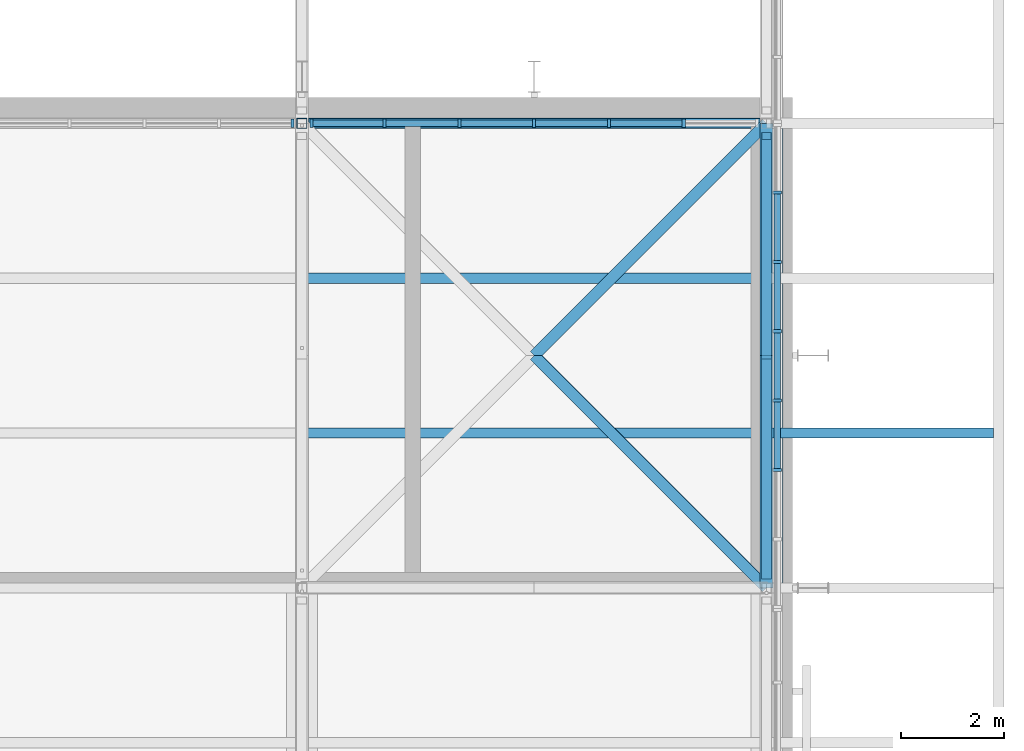
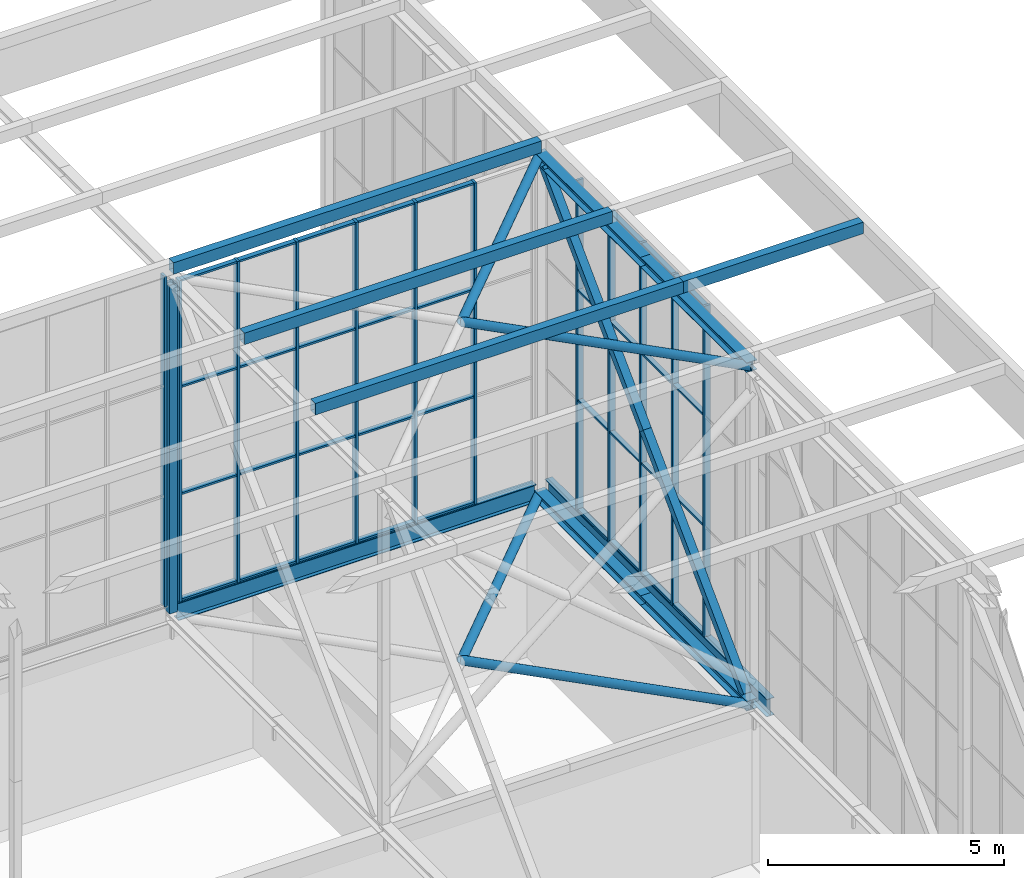
# One storey, part 133 of 646: 63 members, 2 beams, 3 elements without a shape of their own.
"""IFC4 building model written with IfcOpenShell, lengths in metres."""

from ifc_helpers import new_model, si_unit, direction, frame, origin, origin_2d, place, context, subcontext, project, spatial, rectangle, hollow_rectangle, hollow_circle, i_section, extrude, material, material_profile, profile_set, type_object, element, aggregate, save


model = new_model("IFC4")

# Units and contexts
model_context = context("Model", 3, precision=1e-05, world=origin(), true_north=direction((0.0, 1.0)))
body_context = subcontext(model_context, "Body", "Model", "MODEL_VIEW")
ifc_project = project(units=[si_unit("LENGTHUNIT", "METRE"), si_unit("AREAUNIT", "SQUARE_METRE"), si_unit("VOLUMEUNIT", "CUBIC_METRE"), si_unit("PLANEANGLEUNIT", "RADIAN"), si_unit("MASSUNIT", "GRAM", prefix="KILO")], contexts=[model_context])

# Site, building, storey
site_placement = place(None, origin())
site = spatial("IfcSite", under=ifc_project, at=site_placement, CompositionType="ELEMENT")
building_placement = place(site_placement, origin())
building = spatial("IfcBuilding", under=site, at=building_placement, Name="Silverbay Arena", CompositionType="ELEMENT")
storey_placement = place(building_placement, frame((0.0, 0.0, 33.5)))
storey = spatial("IfcBuildingStorey", under=building, at=storey_placement, Name="L05", CompositionType="ELEMENT", Elevation=33.5)

# Curtain wall, member
ifc_material_1 = material(Name="Aluminium framed glazing", Category="aluminium")
curtain_wall_type_1 = type_object("IfcCurtainWallType", Name="Curtain wall clerestory 8693 x 8540", PredefinedType="NOTDEFINED", material=ifc_material_1)
curtain_wall_1_placement = place(storey_placement, origin())
curtain_wall_1 = element("IfcCurtainWall", 1, at=curtain_wall_1_placement, inside=storey, type_object=curtain_wall_type_1, Name="ROOF CLERESTORY CURTAIN WALL north bay 16", PredefinedType="NOTDEFINED")
ifc_material_2 = material(Name="Aluminium", Category="aluminium")
ifc_material_profile_1 = material_profile(ifc_material_2, rectangle(XDim=0.159912109375, YDim=0.06005859375, at=origin_2d()), Name="Mullion 60 x 160")
ifc_profile_set_1 = profile_set([ifc_material_profile_1], Name="Aluminium")
member_type_1 = type_object("IfcMemberType", Name="Mullion 60 x 160", PredefinedType="MULLION", material=ifc_profile_set_1)
member_1_placement = place(storey_placement, frame((197.81640625, 144.0, 4.4599609375), z_axis=(0.0, 0.0, 1.0), x_axis=(0.0, 1.0, 0.0)))
member_1 = element("IfcMember", 2, at=member_1_placement, type_object=member_type_1, Name="CW55 mullion 7", PredefinedType="MULLION", context=body_context, shape_type="SweptSolid", body=[
    extrude(rectangle(XDim=0.159912109375, YDim=0.06005859375, at=origin_2d()), origin(), (0.0, 0.0, 1.0), 8.5400390625),
])
aggregate(curtain_wall_1, [member_1])

# Curtain wall, members
ifc_material_3 = material(Name="Aluminium framed glazing", Category="aluminium")
curtain_wall_type_2 = type_object("IfcCurtainWallType", Name="Curtain wall clerestory 8693 x 8303", PredefinedType="NOTDEFINED", material=ifc_material_3)
curtain_wall_2_placement = place(storey_placement, origin())
curtain_wall_2 = element("IfcCurtainWall", 3, at=curtain_wall_2_placement, inside=storey, type_object=curtain_wall_type_2, Name="ROOF CLERESTORY CURTAIN WALL north bay 17", PredefinedType="NOTDEFINED")
member_2_placement = place(storey_placement, frame((198.18359375, 144.0, 4.4599609375), z_axis=(0.0, 0.0, 1.0), x_axis=(0.0, 1.0, 0.0)))
member_2 = element("IfcMember", 4, at=member_2_placement, type_object=member_type_1, Name="CW54 mullion 1", PredefinedType="MULLION", context=body_context, shape_type="SweptSolid", body=[
    extrude(rectangle(XDim=0.159912109375, YDim=0.06005859375, at=origin_2d()), origin(), (0.0, 0.0, 1.0), 8.303466796875),
])
member_3_placement = place(storey_placement, frame((199.6025390625, 144.0, 4.4599609375), z_axis=(0.0, 0.0, 1.0), x_axis=(0.0, 1.0, 0.0)))
member_3 = element("IfcMember", 5, at=member_3_placement, type_object=member_type_1, Name="CW54 mullion 2", PredefinedType="MULLION", context=body_context, shape_type="SweptSolid", body=[
    extrude(rectangle(XDim=0.159912109375, YDim=0.06005859375, at=origin_2d()), origin(), (0.0, 0.0, 1.0), 8.303466796875),
])
member_4_placement = place(storey_placement, frame((201.05126953125, 144.0, 4.4599609375), z_axis=(0.0, 0.0, 1.0), x_axis=(0.0, 1.0, 0.0)))
member_4 = element("IfcMember", 6, at=member_4_placement, type_object=member_type_1, Name="CW54 mullion 3", PredefinedType="MULLION", context=body_context, shape_type="SweptSolid", body=[
    extrude(rectangle(XDim=0.159912109375, YDim=0.06005859375, at=origin_2d()), origin(), (0.0, 0.0, 1.0), 8.303466796875),
])
member_5_placement = place(storey_placement, frame((202.5, 144.0, 4.4599609375), z_axis=(0.0, 0.0, 1.0), x_axis=(0.0, 1.0, 0.0)))
member_5 = element("IfcMember", 7, at=member_5_placement, type_object=member_type_1, Name="CW54 mullion 4", PredefinedType="MULLION", context=body_context, shape_type="SweptSolid", body=[
    extrude(rectangle(XDim=0.159912109375, YDim=0.06005859375, at=origin_2d()), origin(), (0.0, 0.0, 1.0), 8.303466796875),
])
member_6_placement = place(storey_placement, frame((203.94873046875, 144.0, 4.4599609375), z_axis=(0.0, 0.0, 1.0), x_axis=(0.0, 1.0, 0.0)))
member_6 = element("IfcMember", 8, at=member_6_placement, type_object=member_type_1, Name="CW54 mullion 5", PredefinedType="MULLION", context=body_context, shape_type="SweptSolid", body=[
    extrude(rectangle(XDim=0.159912109375, YDim=0.06005859375, at=origin_2d()), origin(), (0.0, 0.0, 1.0), 8.303466796875),
])
member_7_placement = place(storey_placement, frame((205.3974609375, 144.0, 4.4599609375), z_axis=(0.0, 0.0, 1.0), x_axis=(0.0, 1.0, 0.0)))
member_7 = element("IfcMember", 9, at=member_7_placement, type_object=member_type_1, Name="CW54 mullion 6", PredefinedType="MULLION", context=body_context, shape_type="SweptSolid", body=[
    extrude(rectangle(XDim=0.159912109375, YDim=0.06005859375, at=origin_2d()), origin(), (0.0, 0.0, 1.0), 8.303466796875),
])

ifc_material_4 = material(Name="Aluminium framed glazing", Category="aluminium")
curtain_wall_type_3 = type_object("IfcCurtainWallType", Name="Curtain wall clerestory 9400 x 8547", PredefinedType="NOTDEFINED", material=ifc_material_4)
curtain_wall_3_placement = place(storey_placement, origin())
curtain_wall_3 = element("IfcCurtainWall", 10, at=curtain_wall_3_placement, inside=storey, type_object=curtain_wall_type_3, Name="ROOF GABLE CLERESTORY CURTAIN WALL east bay 15", PredefinedType="NOTDEFINED")
member_8_placement = place(storey_placement, frame((207.2099609375, 137.28564453125, 4.453369140625), z_axis=(0.0, 0.0, 1.0), x_axis=(-1.0, 0.0, 0.0)))
member_8 = element("IfcMember", 11, at=member_8_placement, type_object=member_type_1, Name="CW58 mullion 3", PredefinedType="MULLION", context=body_context, shape_type="SweptSolid", body=[
    extrude(rectangle(XDim=0.159912109375, YDim=0.06005859375, at=origin_2d()), origin(), (0.0, 0.0, 1.0), 8.546630859375),
])
member_9_placement = place(storey_placement, frame((207.2099609375, 138.628662109375, 4.453369140625), z_axis=(0.0, 0.0, 1.0), x_axis=(-1.0, 0.0, 0.0)))
member_9 = element("IfcMember", 12, at=member_9_placement, type_object=member_type_1, Name="CW58 mullion 4", PredefinedType="MULLION", context=body_context, shape_type="SweptSolid", body=[
    extrude(rectangle(XDim=0.159912109375, YDim=0.06005859375, at=origin_2d()), origin(), (0.0, 0.0, 1.0), 8.546630859375),
])
member_10_placement = place(storey_placement, frame((207.2099609375, 139.971435546875, 4.453369140625), z_axis=(0.0, 0.0, 1.0), x_axis=(-1.0, 0.0, 0.0)))
member_10 = element("IfcMember", 13, at=member_10_placement, type_object=member_type_1, Name="CW58 mullion 5", PredefinedType="MULLION", context=body_context, shape_type="SweptSolid", body=[
    extrude(rectangle(XDim=0.159912109375, YDim=0.06005859375, at=origin_2d()), origin(), (0.0, 0.0, 1.0), 8.546630859375),
])
member_11_placement = place(storey_placement, frame((207.2099609375, 141.314208984375, 4.453369140625), z_axis=(0.0, 0.0, 1.0), x_axis=(-1.0, 0.0, 0.0)))
member_11 = element("IfcMember", 14, at=member_11_placement, type_object=member_type_1, Name="CW58 mullion 6", PredefinedType="MULLION", context=body_context, shape_type="SweptSolid", body=[
    extrude(rectangle(XDim=0.159912109375, YDim=0.06005859375, at=origin_2d()), origin(), (0.0, 0.0, 1.0), 8.546630859375),
])
member_12_placement = place(storey_placement, frame((207.2099609375, 142.6572265625, 4.453369140625), z_axis=(0.0, 0.0, 1.0), x_axis=(-1.0, 0.0, 0.0)))
member_12 = element("IfcMember", 15, at=member_12_placement, type_object=member_type_1, Name="CW58 mullion 7", PredefinedType="MULLION", context=body_context, shape_type="SweptSolid", body=[
    extrude(rectangle(XDim=0.159912109375, YDim=0.06005859375, at=origin_2d()), origin(), (0.0, 0.0, 1.0), 8.546630859375),
])

# Members
ifc_material_5 = material(Name="Steel S355", Category="steel")
ifc_material_profile_2 = material_profile(ifc_material_5, hollow_circle(Radius=0.109619140625, WallThickness=0.00634765625, at=origin_2d()), Name="CHS 219.1x6.3")
ifc_profile_set_2 = profile_set([ifc_material_profile_2], Name="Steel S355")
member_type_2 = type_object("IfcMemberType", Name="Plan bracing CHS 219.1x6.3", PredefinedType="BRACE", material=ifc_profile_set_2)
for number, where, z_axis, x_axis, name in (
    (16, (202.5, 139.5, 12.873046875), (0.707106781187, 0.707106781187, 0.0), (-0.707106781187, 0.707106781187, 0.0), "ROOF BRACING top 23-24 panel 15 Ab"),
    (17, (202.5, 139.5, 12.873046875), (0.707106781187, -0.707106781187, 0.0), (0.707106781187, 0.707106781187, 0.0), "ROOF BRACING top 23-24 panel 15 Bb"),
    (18, (202.5, 139.5, 4.126953125), (0.707106781187, 0.707106781187, 0.0), (-0.707106781187, 0.707106781187, 0.0), "ROOF BRACING bottom 23-24 panel 15 Ab"),
    (19, (202.5, 139.5, 4.126953125), (0.707106781187, -0.707106781187, 0.0), (0.707106781187, 0.707106781187, 0.0), "ROOF BRACING bottom 23-24 panel 15 Bb"),
):
    element("IfcMember", number, at=place(storey_placement, frame(where, z_axis=z_axis, x_axis=x_axis)), inside=storey, type_object=member_type_2, Name=name, PredefinedType="BRACE", context=body_context, shape_type="SweptSolid", body=[
        extrude(hollow_circle(Radius=0.109619140625, WallThickness=0.00634765625, at=origin_2d()), origin(), (0.0, 0.0, 1.0), 6.364013671875),
    ])
ifc_material_6 = material(Name="Steel S355", Category="steel")
ifc_material_profile_3 = material_profile(ifc_material_6, hollow_rectangle(XDim=0.199951171875, YDim=0.300048828125, WallThickness=0.008056640625, at=origin_2d()), Name="RHS 300x200x8")
ifc_profile_set_3 = profile_set([ifc_material_profile_3], Name="Steel S355")
member_type_3 = type_object("IfcMemberType", Name="Purlin RHS 300x200x8", PredefinedType="PURLIN", material=ifc_profile_set_3)
for number, where, z_axis, x_axis, name in (
    (20, (198.0, 138.0, 13.14990234375), (1.0, 0.0, 0.0), (0.0, 1.0, 0.0), "ROOF PURLIN 23-24 line 44"),
    (21, (198.0, 141.0, 13.14990234375), (1.0, 0.0, 0.0), (0.0, 1.0, 0.0), "ROOF PURLIN 23-24 line 45"),
    (22, (198.0, 144.0, 13.14990234375), (1.0, 0.0, 0.0), (0.0, 1.0, 0.0), "ROOF PURLIN 23-24 line 46"),
):
    element("IfcMember", number, at=place(storey_placement, frame(where, z_axis=z_axis, x_axis=x_axis)), inside=storey, type_object=member_type_3, Name=name, PredefinedType="PURLIN", context=body_context, shape_type="SweptSolid", body=[
        extrude(hollow_rectangle(XDim=0.199951171875, YDim=0.300048828125, WallThickness=0.008056640625, at=origin_2d()), origin(), (0.0, 0.0, 1.0), 9.0),
    ])
member_13_placement = place(storey_placement, frame((211.39990234375, 138.0, 13.14990234375), z_axis=(-1.0, 0.0, 0.0), x_axis=(0.0, -1.0, 0.0)))
element("IfcMember", 23, at=member_13_placement, inside=storey, type_object=member_type_3, Name="ROOF PURLIN east eave line 44", PredefinedType="PURLIN", context=body_context, shape_type="SweptSolid", body=[
    extrude(hollow_rectangle(XDim=0.199951171875, YDim=0.300048828125, WallThickness=0.008056640625, at=origin_2d()), origin(), (0.0, 0.0, 1.0), 4.39990234375),
])

# Beams
ifc_material_7 = material(Name="Steel S355", Category="steel")
ifc_material_profile_4 = material_profile(ifc_material_7, i_section(OverallWidth=0.18994140625, OverallDepth=0.453369140625, WebThickness=0.008544921875, FlangeThickness=0.0126953125, at=origin_2d()), Name="UB 457x191x67")
ifc_profile_set_4 = profile_set([ifc_material_profile_4], Name="Steel S355")
beam_type_1 = type_object("IfcBeamType", Name="Ring beam UB 457x191x67", PredefinedType="BEAM", material=ifc_profile_set_4)
beam_1_placement = place(storey_placement, frame((207.224853515625, 134.60009765625, 4.226806640625), z_axis=(0.0, 1.0, 0.0), x_axis=(-1.0, 0.0, 0.0)))
element("IfcBeam", 24, at=beam_1_placement, inside=storey, type_object=beam_type_1, Name="RING BEAM east gable panel 15", PredefinedType="BEAM", context=body_context, shape_type="SweptSolid", body=[
    extrude(i_section(OverallWidth=0.18994140625, OverallDepth=0.453369140625, WebThickness=0.008544921875, FlangeThickness=0.0126953125, at=origin_2d()), origin(), (0.0, 0.0, 1.0), 9.39990234375),
])
ifc_material_8 = material(Name="Steel S355", Category="steel")
ifc_material_profile_5 = material_profile(ifc_material_8, i_section(OverallWidth=0.19140625, OverallDepth=0.4599609375, WebThickness=0.010009765625, FlangeThickness=0.01611328125, at=origin_2d()), Name="UB 457x191x82")
ifc_profile_set_5 = profile_set([ifc_material_profile_5], Name="Steel S355")
beam_type_2 = type_object("IfcBeamType", Name="Ring beam UB 457x191x82", PredefinedType="BEAM", material=ifc_profile_set_5)
beam_2_placement = place(storey_placement, frame((198.127197265625, 144.0, 4.22998046875), z_axis=(1.0, 0.0, 0.0), x_axis=(0.0, 1.0, 0.0)))
element("IfcBeam", 25, at=beam_2_placement, inside=storey, type_object=beam_type_2, Name="RING BEAM north facade 23-24", PredefinedType="BEAM", context=body_context, shape_type="SweptSolid", body=[
    extrude(i_section(OverallWidth=0.19140625, OverallDepth=0.4599609375, WebThickness=0.010009765625, FlangeThickness=0.01611328125, at=origin_2d()), origin(), (0.0, 0.0, 1.0), 8.74560546875),
])

# Members
ifc_material_9 = material(Name="Steel S355", Category="steel")
ifc_material_profile_6 = material_profile(ifc_material_9, i_section(OverallWidth=0.254638671875, OverallDepth=0.254150390625, WebThickness=0.008544921875, FlangeThickness=0.01416015625, at=origin_2d()), Name="UC 254x254x73")
ifc_profile_set_6 = profile_set([ifc_material_profile_6], Name="Steel S355")
member_type_4 = type_object("IfcMemberType", Name="Short-span bottom chord UC 254x254x73", PredefinedType="CHORD", material=ifc_profile_set_6)
for number, where, z_axis, x_axis, name in (
    (26, (207.0, 135.0, 4.126953125), (0.0, 1.0, 0.0), (-1.0, 0.0, 0.0), "ROOF TRUSS 24 bottom chord 15a"),
    (27, (207.0, 139.5, 4.126953125), (0.0, 1.0, 0.0), (-1.0, 0.0, 0.0), "ROOF TRUSS 24 bottom chord 15b"),
):
    element("IfcMember", number, at=place(storey_placement, frame(where, z_axis=z_axis, x_axis=x_axis)), inside=storey, type_object=member_type_4, Name=name, PredefinedType="CHORD", context=body_context, shape_type="SweptSolid", body=[
        extrude(i_section(OverallWidth=0.254638671875, OverallDepth=0.254150390625, WebThickness=0.008544921875, FlangeThickness=0.01416015625, at=origin_2d()), origin(), (0.0, 0.0, 1.0), 4.5),
    ])
ifc_material_10 = material(Name="Steel S355", Category="steel")
ifc_material_profile_7 = material_profile(ifc_material_10, i_section(OverallWidth=0.254638671875, OverallDepth=0.254150390625, WebThickness=0.008544921875, FlangeThickness=0.01416015625, at=origin_2d()), Name="UC 254x254x73")
ifc_profile_set_7 = profile_set([ifc_material_profile_7], Name="Steel S355")
member_type_5 = type_object("IfcMemberType", Name="Short-span top chord UC 254x254x73", PredefinedType="CHORD", material=ifc_profile_set_7)
for number, where, z_axis, x_axis, name in (
    (28, (207.0, 135.0, 12.873046875), (0.0, 1.0, 0.0), (-1.0, 0.0, 0.0), "ROOF TRUSS 24 top chord 15a"),
    (29, (207.0, 139.5, 12.873046875), (0.0, 1.0, 0.0), (-1.0, 0.0, 0.0), "ROOF TRUSS 24 top chord 15b"),
):
    element("IfcMember", number, at=place(storey_placement, frame(where, z_axis=z_axis, x_axis=x_axis)), inside=storey, type_object=member_type_5, Name=name, PredefinedType="CHORD", context=body_context, shape_type="SweptSolid", body=[
        extrude(i_section(OverallWidth=0.254638671875, OverallDepth=0.254150390625, WebThickness=0.008544921875, FlangeThickness=0.01416015625, at=origin_2d()), origin(), (0.0, 0.0, 1.0), 4.5),
    ])
ifc_material_11 = material(Name="Steel S355", Category="steel")
ifc_material_profile_8 = material_profile(ifc_material_11, hollow_rectangle(XDim=0.199951171875, YDim=0.199951171875, WallThickness=0.008056640625, at=origin_2d()), Name="SHS 200x200x8")
ifc_profile_set_8 = profile_set([ifc_material_profile_8], Name="Steel S355")
member_type_6 = type_object("IfcMemberType", Name="Short-span truss diagonal SHS 200x200x8", PredefinedType="BRACE", material=ifc_profile_set_8)
for number, where, z_axis, x_axis, name in (
    (30, (207.0, 143.75439453125, 12.745849609375), (0.0, -0.70781724692, -0.706395600894), (1.0, 0.0, 0.0), "ROOF TRUSS 24 diagonal 15a"),
    (31, (207.0, 139.5, 8.5), (0.0, -0.70781724692, -0.706395600894), (1.0, 0.0, 0.0), "ROOF TRUSS 24 diagonal 15b"),
):
    element("IfcMember", number, at=place(storey_placement, frame(where, z_axis=z_axis, x_axis=x_axis)), inside=storey, type_object=member_type_6, Name=name, PredefinedType="BRACE", context=body_context, shape_type="SweptSolid", body=[
        extrude(hollow_rectangle(XDim=0.199951171875, YDim=0.199951171875, WallThickness=0.008056640625, at=origin_2d()), origin(), (0.0, 0.0, 1.0), 6.010498046875),
    ])
ifc_material_12 = material(Name="Steel S355", Category="steel")
ifc_material_profile_9 = material_profile(ifc_material_12, hollow_rectangle(XDim=0.199951171875, YDim=0.199951171875, WallThickness=0.008056640625, at=origin_2d()), Name="SHS 200x200x8")
ifc_profile_set_9 = profile_set([ifc_material_profile_9], Name="Steel S355")
member_type_7 = type_object("IfcMemberType", Name="Short-span truss vertical SHS 200x200x8", PredefinedType="STRUT", material=ifc_profile_set_9)
for number, where, z_axis, x_axis, name in (
    (32, (198.0, 144.0, 4.254150390625), (0.0, 0.0, 1.0), (1.0, 0.0, 0.0), "ROOF TRUSS 23 vertical 16a"),
    (33, (198.0, 144.0, 8.5), (0.0, 0.0, 1.0), (1.0, 0.0, 0.0), "ROOF TRUSS 23 vertical 16b"),
):
    element("IfcMember", number, at=place(storey_placement, frame(where, z_axis=z_axis, x_axis=x_axis)), inside=storey, type_object=member_type_7, Name=name, PredefinedType="STRUT", context=body_context, shape_type="SweptSolid", body=[
        extrude(hollow_rectangle(XDim=0.199951171875, YDim=0.199951171875, WallThickness=0.008056640625, at=origin_2d()), origin(), (0.0, 0.0, 1.0), 4.245849609375),
    ])

# Member
ifc_material_13 = material(Name="Aluminium", Category="aluminium")
ifc_material_profile_10 = material_profile(ifc_material_13, rectangle(XDim=0.1201171875, YDim=0.050048828125, at=origin_2d()), Name="Transom 50 x 120")
ifc_profile_set_10 = profile_set([ifc_material_profile_10], Name="Aluminium")
member_type_8 = type_object("IfcMemberType", Name="Transom 50 x 120", PredefinedType="USERDEFINED", material=ifc_profile_set_10)
member_14_placement = place(storey_placement, frame((198.213623046875, 144.0, 4.485107421875), z_axis=(1.0, 0.0, 0.0), x_axis=(0.0, 1.0, 0.0)))
member_14 = element("IfcMember", 34, at=member_14_placement, type_object=member_type_8, Name="CW54 transom 1.1", ObjectType="TRANSOM", PredefinedType="USERDEFINED", context=body_context, shape_type="SweptSolid", body=[
    extrude(rectangle(XDim=0.1201171875, YDim=0.050048828125, at=origin_2d()), origin(), (0.0, 0.0, 1.0), 1.35888671875),
])

member_15_placement = place(storey_placement, frame((198.213623046875, 144.0, 7.227783203125), z_axis=(1.0, 0.0, 0.0), x_axis=(0.0, 1.0, 0.0)))
member_15 = element("IfcMember", 35, at=member_15_placement, type_object=member_type_8, Name="CW54 transom 1.2", ObjectType="TRANSOM", PredefinedType="USERDEFINED", context=body_context, shape_type="SweptSolid", body=[
    extrude(rectangle(XDim=0.1201171875, YDim=0.050048828125, at=origin_2d()), origin(), (0.0, 0.0, 1.0), 1.35888671875),
])

member_16_placement = place(storey_placement, frame((198.213623046875, 144.0, 9.99560546875), z_axis=(1.0, 0.0, 0.0), x_axis=(0.0, 1.0, 0.0)))
member_16 = element("IfcMember", 36, at=member_16_placement, type_object=member_type_8, Name="CW54 transom 1.3", ObjectType="TRANSOM", PredefinedType="USERDEFINED", context=body_context, shape_type="SweptSolid", body=[
    extrude(rectangle(XDim=0.1201171875, YDim=0.050048828125, at=origin_2d()), origin(), (0.0, 0.0, 1.0), 1.35888671875),
])

member_17_placement = place(storey_placement, frame((198.213623046875, 144.0, 12.73828125), z_axis=(1.0, 0.0, 0.0), x_axis=(0.0, 1.0, 0.0)))
member_17 = element("IfcMember", 37, at=member_17_placement, type_object=member_type_8, Name="CW54 transom 1.4", ObjectType="TRANSOM", PredefinedType="USERDEFINED", context=body_context, shape_type="SweptSolid", body=[
    extrude(rectangle(XDim=0.1201171875, YDim=0.050048828125, at=origin_2d()), origin(), (0.0, 0.0, 1.0), 1.35888671875),
])

member_18_placement = place(storey_placement, frame((199.632568359375, 144.0, 4.485107421875), z_axis=(1.0, 0.0, 0.0), x_axis=(0.0, 1.0, 0.0)))
member_18 = element("IfcMember", 38, at=member_18_placement, type_object=member_type_8, Name="CW54 transom 2.1", ObjectType="TRANSOM", PredefinedType="USERDEFINED", context=body_context, shape_type="SweptSolid", body=[
    extrude(rectangle(XDim=0.1201171875, YDim=0.050048828125, at=origin_2d()), origin(), (0.0, 0.0, 1.0), 1.388671875),
])

member_19_placement = place(storey_placement, frame((199.632568359375, 144.0, 7.227783203125), z_axis=(1.0, 0.0, 0.0), x_axis=(0.0, 1.0, 0.0)))
member_19 = element("IfcMember", 39, at=member_19_placement, type_object=member_type_8, Name="CW54 transom 2.2", ObjectType="TRANSOM", PredefinedType="USERDEFINED", context=body_context, shape_type="SweptSolid", body=[
    extrude(rectangle(XDim=0.1201171875, YDim=0.050048828125, at=origin_2d()), origin(), (0.0, 0.0, 1.0), 1.388671875),
])

member_20_placement = place(storey_placement, frame((199.632568359375, 144.0, 9.99560546875), z_axis=(1.0, 0.0, 0.0), x_axis=(0.0, 1.0, 0.0)))
member_20 = element("IfcMember", 40, at=member_20_placement, type_object=member_type_8, Name="CW54 transom 2.3", ObjectType="TRANSOM", PredefinedType="USERDEFINED", context=body_context, shape_type="SweptSolid", body=[
    extrude(rectangle(XDim=0.1201171875, YDim=0.050048828125, at=origin_2d()), origin(), (0.0, 0.0, 1.0), 1.388671875),
])

member_21_placement = place(storey_placement, frame((199.632568359375, 144.0, 12.73828125), z_axis=(1.0, 0.0, 0.0), x_axis=(0.0, 1.0, 0.0)))
member_21 = element("IfcMember", 41, at=member_21_placement, type_object=member_type_8, Name="CW54 transom 2.4", ObjectType="TRANSOM", PredefinedType="USERDEFINED", context=body_context, shape_type="SweptSolid", body=[
    extrude(rectangle(XDim=0.1201171875, YDim=0.050048828125, at=origin_2d()), origin(), (0.0, 0.0, 1.0), 1.388671875),
])

member_22_placement = place(storey_placement, frame((201.081298828125, 144.0, 4.485107421875), z_axis=(1.0, 0.0, 0.0), x_axis=(0.0, 1.0, 0.0)))
member_22 = element("IfcMember", 42, at=member_22_placement, type_object=member_type_8, Name="CW54 transom 3.1", ObjectType="TRANSOM", PredefinedType="USERDEFINED", context=body_context, shape_type="SweptSolid", body=[
    extrude(rectangle(XDim=0.1201171875, YDim=0.050048828125, at=origin_2d()), origin(), (0.0, 0.0, 1.0), 1.388671875),
])

member_23_placement = place(storey_placement, frame((201.081298828125, 144.0, 7.227783203125), z_axis=(1.0, 0.0, 0.0), x_axis=(0.0, 1.0, 0.0)))
member_23 = element("IfcMember", 43, at=member_23_placement, type_object=member_type_8, Name="CW54 transom 3.2", ObjectType="TRANSOM", PredefinedType="USERDEFINED", context=body_context, shape_type="SweptSolid", body=[
    extrude(rectangle(XDim=0.1201171875, YDim=0.050048828125, at=origin_2d()), origin(), (0.0, 0.0, 1.0), 1.388671875),
])

member_24_placement = place(storey_placement, frame((201.081298828125, 144.0, 9.99560546875), z_axis=(1.0, 0.0, 0.0), x_axis=(0.0, 1.0, 0.0)))
member_24 = element("IfcMember", 44, at=member_24_placement, type_object=member_type_8, Name="CW54 transom 3.3", ObjectType="TRANSOM", PredefinedType="USERDEFINED", context=body_context, shape_type="SweptSolid", body=[
    extrude(rectangle(XDim=0.1201171875, YDim=0.050048828125, at=origin_2d()), origin(), (0.0, 0.0, 1.0), 1.388671875),
])

member_25_placement = place(storey_placement, frame((201.081298828125, 144.0, 12.73828125), z_axis=(1.0, 0.0, 0.0), x_axis=(0.0, 1.0, 0.0)))
member_25 = element("IfcMember", 45, at=member_25_placement, type_object=member_type_8, Name="CW54 transom 3.4", ObjectType="TRANSOM", PredefinedType="USERDEFINED", context=body_context, shape_type="SweptSolid", body=[
    extrude(rectangle(XDim=0.1201171875, YDim=0.050048828125, at=origin_2d()), origin(), (0.0, 0.0, 1.0), 1.388671875),
])

member_26_placement = place(storey_placement, frame((202.530029296875, 144.0, 4.485107421875), z_axis=(1.0, 0.0, 0.0), x_axis=(0.0, 1.0, 0.0)))
member_26 = element("IfcMember", 46, at=member_26_placement, type_object=member_type_8, Name="CW54 transom 4.1", ObjectType="TRANSOM", PredefinedType="USERDEFINED", context=body_context, shape_type="SweptSolid", body=[
    extrude(rectangle(XDim=0.1201171875, YDim=0.050048828125, at=origin_2d()), origin(), (0.0, 0.0, 1.0), 1.388671875),
])

member_27_placement = place(storey_placement, frame((202.530029296875, 144.0, 7.227783203125), z_axis=(1.0, 0.0, 0.0), x_axis=(0.0, 1.0, 0.0)))
member_27 = element("IfcMember", 47, at=member_27_placement, type_object=member_type_8, Name="CW54 transom 4.2", ObjectType="TRANSOM", PredefinedType="USERDEFINED", context=body_context, shape_type="SweptSolid", body=[
    extrude(rectangle(XDim=0.1201171875, YDim=0.050048828125, at=origin_2d()), origin(), (0.0, 0.0, 1.0), 1.388671875),
])

member_28_placement = place(storey_placement, frame((202.530029296875, 144.0, 9.99560546875), z_axis=(1.0, 0.0, 0.0), x_axis=(0.0, 1.0, 0.0)))
member_28 = element("IfcMember", 48, at=member_28_placement, type_object=member_type_8, Name="CW54 transom 4.3", ObjectType="TRANSOM", PredefinedType="USERDEFINED", context=body_context, shape_type="SweptSolid", body=[
    extrude(rectangle(XDim=0.1201171875, YDim=0.050048828125, at=origin_2d()), origin(), (0.0, 0.0, 1.0), 1.388671875),
])

member_29_placement = place(storey_placement, frame((202.530029296875, 144.0, 12.73828125), z_axis=(1.0, 0.0, 0.0), x_axis=(0.0, 1.0, 0.0)))
member_29 = element("IfcMember", 49, at=member_29_placement, type_object=member_type_8, Name="CW54 transom 4.4", ObjectType="TRANSOM", PredefinedType="USERDEFINED", context=body_context, shape_type="SweptSolid", body=[
    extrude(rectangle(XDim=0.1201171875, YDim=0.050048828125, at=origin_2d()), origin(), (0.0, 0.0, 1.0), 1.388671875),
])

member_30_placement = place(storey_placement, frame((203.978759765625, 144.0, 4.485107421875), z_axis=(1.0, 0.0, 0.0), x_axis=(0.0, 1.0, 0.0)))
member_30 = element("IfcMember", 50, at=member_30_placement, type_object=member_type_8, Name="CW54 transom 5.1", ObjectType="TRANSOM", PredefinedType="USERDEFINED", context=body_context, shape_type="SweptSolid", body=[
    extrude(rectangle(XDim=0.1201171875, YDim=0.050048828125, at=origin_2d()), origin(), (0.0, 0.0, 1.0), 1.388671875),
])

member_31_placement = place(storey_placement, frame((203.978759765625, 144.0, 7.227783203125), z_axis=(1.0, 0.0, 0.0), x_axis=(0.0, 1.0, 0.0)))
member_31 = element("IfcMember", 51, at=member_31_placement, type_object=member_type_8, Name="CW54 transom 5.2", ObjectType="TRANSOM", PredefinedType="USERDEFINED", context=body_context, shape_type="SweptSolid", body=[
    extrude(rectangle(XDim=0.1201171875, YDim=0.050048828125, at=origin_2d()), origin(), (0.0, 0.0, 1.0), 1.388671875),
])

member_32_placement = place(storey_placement, frame((203.978759765625, 144.0, 9.99560546875), z_axis=(1.0, 0.0, 0.0), x_axis=(0.0, 1.0, 0.0)))
member_32 = element("IfcMember", 52, at=member_32_placement, type_object=member_type_8, Name="CW54 transom 5.3", ObjectType="TRANSOM", PredefinedType="USERDEFINED", context=body_context, shape_type="SweptSolid", body=[
    extrude(rectangle(XDim=0.1201171875, YDim=0.050048828125, at=origin_2d()), origin(), (0.0, 0.0, 1.0), 1.388671875),
])

member_33_placement = place(storey_placement, frame((203.978759765625, 144.0, 12.73828125), z_axis=(1.0, 0.0, 0.0), x_axis=(0.0, 1.0, 0.0)))
member_33 = element("IfcMember", 53, at=member_33_placement, type_object=member_type_8, Name="CW54 transom 5.4", ObjectType="TRANSOM", PredefinedType="USERDEFINED", context=body_context, shape_type="SweptSolid", body=[
    extrude(rectangle(XDim=0.1201171875, YDim=0.050048828125, at=origin_2d()), origin(), (0.0, 0.0, 1.0), 1.388671875),
])

aggregate(curtain_wall_2, [member_2, member_3, member_4, member_5, member_6, member_7, member_14, member_15, member_16, member_17, member_18, member_19, member_20, member_21, member_22, member_23, member_24, member_25, member_26, member_27, member_28, member_29, member_30, member_31, member_32, member_33])

member_34_placement = place(storey_placement, frame((207.2099609375, 137.315673828125, 4.478515625), z_axis=(0.0, 1.0, 0.0), x_axis=(-1.0, 0.0, 0.0)))
member_34 = element("IfcMember", 54, at=member_34_placement, type_object=member_type_8, Name="CW58 transom 3.1", ObjectType="TRANSOM", PredefinedType="USERDEFINED", context=body_context, shape_type="SweptSolid", body=[
    extrude(rectangle(XDim=0.1201171875, YDim=0.050048828125, at=origin_2d()), origin(), (0.0, 0.0, 1.0), 1.282958984375),
])

member_35_placement = place(storey_placement, frame((207.2099609375, 137.315673828125, 7.30224609375), z_axis=(0.0, 1.0, 0.0), x_axis=(-1.0, 0.0, 0.0)))
member_35 = element("IfcMember", 55, at=member_35_placement, type_object=member_type_8, Name="CW58 transom 3.2", ObjectType="TRANSOM", PredefinedType="USERDEFINED", context=body_context, shape_type="SweptSolid", body=[
    extrude(rectangle(XDim=0.1201171875, YDim=0.050048828125, at=origin_2d()), origin(), (0.0, 0.0, 1.0), 1.282958984375),
])

member_36_placement = place(storey_placement, frame((207.2099609375, 137.315673828125, 10.151123046875), z_axis=(0.0, 1.0, 0.0), x_axis=(-1.0, 0.0, 0.0)))
member_36 = element("IfcMember", 56, at=member_36_placement, type_object=member_type_8, Name="CW58 transom 3.3", ObjectType="TRANSOM", PredefinedType="USERDEFINED", context=body_context, shape_type="SweptSolid", body=[
    extrude(rectangle(XDim=0.1201171875, YDim=0.050048828125, at=origin_2d()), origin(), (0.0, 0.0, 1.0), 1.282958984375),
])

member_37_placement = place(storey_placement, frame((207.2099609375, 137.315673828125, 12.97509765625), z_axis=(0.0, 1.0, 0.0), x_axis=(-1.0, 0.0, 0.0)))
member_37 = element("IfcMember", 57, at=member_37_placement, type_object=member_type_8, Name="CW58 transom 3.4", ObjectType="TRANSOM", PredefinedType="USERDEFINED", context=body_context, shape_type="SweptSolid", body=[
    extrude(rectangle(XDim=0.1201171875, YDim=0.050048828125, at=origin_2d()), origin(), (0.0, 0.0, 1.0), 1.282958984375),
])

member_38_placement = place(storey_placement, frame((207.2099609375, 138.65869140625, 4.478515625), z_axis=(0.0, 1.0, 0.0), x_axis=(-1.0, 0.0, 0.0)))
member_38 = element("IfcMember", 58, at=member_38_placement, type_object=member_type_8, Name="CW58 transom 4.1", ObjectType="TRANSOM", PredefinedType="USERDEFINED", context=body_context, shape_type="SweptSolid", body=[
    extrude(rectangle(XDim=0.1201171875, YDim=0.050048828125, at=origin_2d()), origin(), (0.0, 0.0, 1.0), 1.28271484375),
])

member_39_placement = place(storey_placement, frame((207.2099609375, 138.65869140625, 7.30224609375), z_axis=(0.0, 1.0, 0.0), x_axis=(-1.0, 0.0, 0.0)))
member_39 = element("IfcMember", 59, at=member_39_placement, type_object=member_type_8, Name="CW58 transom 4.2", ObjectType="TRANSOM", PredefinedType="USERDEFINED", context=body_context, shape_type="SweptSolid", body=[
    extrude(rectangle(XDim=0.1201171875, YDim=0.050048828125, at=origin_2d()), origin(), (0.0, 0.0, 1.0), 1.28271484375),
])

member_40_placement = place(storey_placement, frame((207.2099609375, 138.65869140625, 10.151123046875), z_axis=(0.0, 1.0, 0.0), x_axis=(-1.0, 0.0, 0.0)))
member_40 = element("IfcMember", 60, at=member_40_placement, type_object=member_type_8, Name="CW58 transom 4.3", ObjectType="TRANSOM", PredefinedType="USERDEFINED", context=body_context, shape_type="SweptSolid", body=[
    extrude(rectangle(XDim=0.1201171875, YDim=0.050048828125, at=origin_2d()), origin(), (0.0, 0.0, 1.0), 1.28271484375),
])

member_41_placement = place(storey_placement, frame((207.2099609375, 138.65869140625, 12.97509765625), z_axis=(0.0, 1.0, 0.0), x_axis=(-1.0, 0.0, 0.0)))
member_41 = element("IfcMember", 61, at=member_41_placement, type_object=member_type_8, Name="CW58 transom 4.4", ObjectType="TRANSOM", PredefinedType="USERDEFINED", context=body_context, shape_type="SweptSolid", body=[
    extrude(rectangle(XDim=0.1201171875, YDim=0.050048828125, at=origin_2d()), origin(), (0.0, 0.0, 1.0), 1.28271484375),
])

member_42_placement = place(storey_placement, frame((207.2099609375, 140.00146484375, 4.478515625), z_axis=(0.0, 1.0, 0.0), x_axis=(-1.0, 0.0, 0.0)))
member_42 = element("IfcMember", 62, at=member_42_placement, type_object=member_type_8, Name="CW58 transom 5.1", ObjectType="TRANSOM", PredefinedType="USERDEFINED", context=body_context, shape_type="SweptSolid", body=[
    extrude(rectangle(XDim=0.1201171875, YDim=0.050048828125, at=origin_2d()), origin(), (0.0, 0.0, 1.0), 1.28271484375),
])

member_43_placement = place(storey_placement, frame((207.2099609375, 140.00146484375, 7.30224609375), z_axis=(0.0, 1.0, 0.0), x_axis=(-1.0, 0.0, 0.0)))
member_43 = element("IfcMember", 63, at=member_43_placement, type_object=member_type_8, Name="CW58 transom 5.2", ObjectType="TRANSOM", PredefinedType="USERDEFINED", context=body_context, shape_type="SweptSolid", body=[
    extrude(rectangle(XDim=0.1201171875, YDim=0.050048828125, at=origin_2d()), origin(), (0.0, 0.0, 1.0), 1.28271484375),
])

member_44_placement = place(storey_placement, frame((207.2099609375, 140.00146484375, 10.151123046875), z_axis=(0.0, 1.0, 0.0), x_axis=(-1.0, 0.0, 0.0)))
member_44 = element("IfcMember", 64, at=member_44_placement, type_object=member_type_8, Name="CW58 transom 5.3", ObjectType="TRANSOM", PredefinedType="USERDEFINED", context=body_context, shape_type="SweptSolid", body=[
    extrude(rectangle(XDim=0.1201171875, YDim=0.050048828125, at=origin_2d()), origin(), (0.0, 0.0, 1.0), 1.28271484375),
])

member_45_placement = place(storey_placement, frame((207.2099609375, 140.00146484375, 12.97509765625), z_axis=(0.0, 1.0, 0.0), x_axis=(-1.0, 0.0, 0.0)))
member_45 = element("IfcMember", 65, at=member_45_placement, type_object=member_type_8, Name="CW58 transom 5.4", ObjectType="TRANSOM", PredefinedType="USERDEFINED", context=body_context, shape_type="SweptSolid", body=[
    extrude(rectangle(XDim=0.1201171875, YDim=0.050048828125, at=origin_2d()), origin(), (0.0, 0.0, 1.0), 1.28271484375),
])

member_46_placement = place(storey_placement, frame((207.2099609375, 141.34423828125, 4.478515625), z_axis=(0.0, 1.0, 0.0), x_axis=(-1.0, 0.0, 0.0)))
member_46 = element("IfcMember", 66, at=member_46_placement, type_object=member_type_8, Name="CW58 transom 6.1", ObjectType="TRANSOM", PredefinedType="USERDEFINED", context=body_context, shape_type="SweptSolid", body=[
    extrude(rectangle(XDim=0.1201171875, YDim=0.050048828125, at=origin_2d()), origin(), (0.0, 0.0, 1.0), 1.282958984375),
])

member_47_placement = place(storey_placement, frame((207.2099609375, 141.34423828125, 7.30224609375), z_axis=(0.0, 1.0, 0.0), x_axis=(-1.0, 0.0, 0.0)))
member_47 = element("IfcMember", 67, at=member_47_placement, type_object=member_type_8, Name="CW58 transom 6.2", ObjectType="TRANSOM", PredefinedType="USERDEFINED", context=body_context, shape_type="SweptSolid", body=[
    extrude(rectangle(XDim=0.1201171875, YDim=0.050048828125, at=origin_2d()), origin(), (0.0, 0.0, 1.0), 1.282958984375),
])

member_48_placement = place(storey_placement, frame((207.2099609375, 141.34423828125, 10.151123046875), z_axis=(0.0, 1.0, 0.0), x_axis=(-1.0, 0.0, 0.0)))
member_48 = element("IfcMember", 68, at=member_48_placement, type_object=member_type_8, Name="CW58 transom 6.3", ObjectType="TRANSOM", PredefinedType="USERDEFINED", context=body_context, shape_type="SweptSolid", body=[
    extrude(rectangle(XDim=0.1201171875, YDim=0.050048828125, at=origin_2d()), origin(), (0.0, 0.0, 1.0), 1.282958984375),
])

aggregate(curtain_wall_3, [member_8, member_9, member_10, member_11, member_12, member_34, member_35, member_36, member_37, member_38, member_39, member_40, member_41, member_42, member_43, member_44, member_45, member_46, member_47, member_48])

save(model, "model.ifc")
